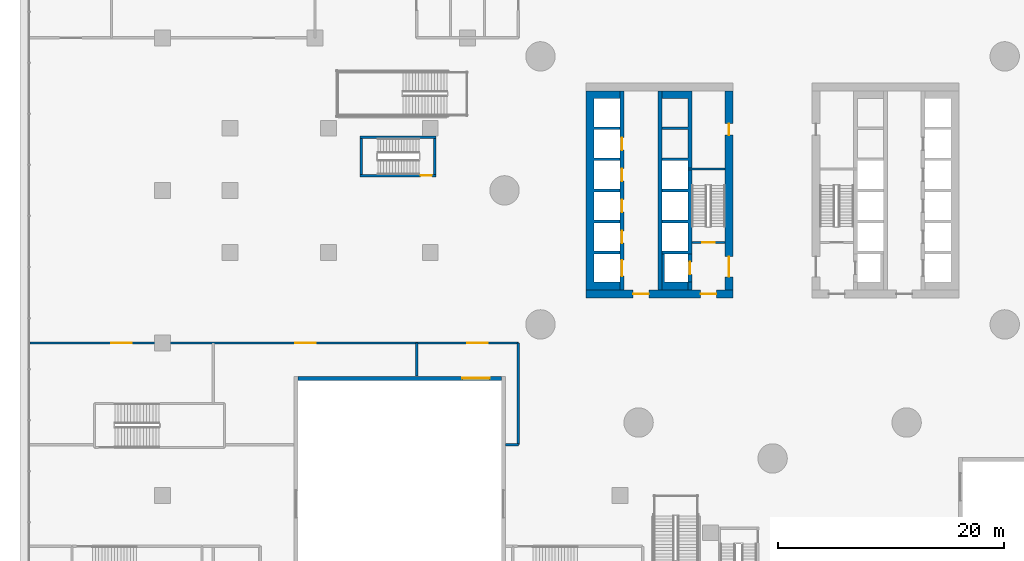
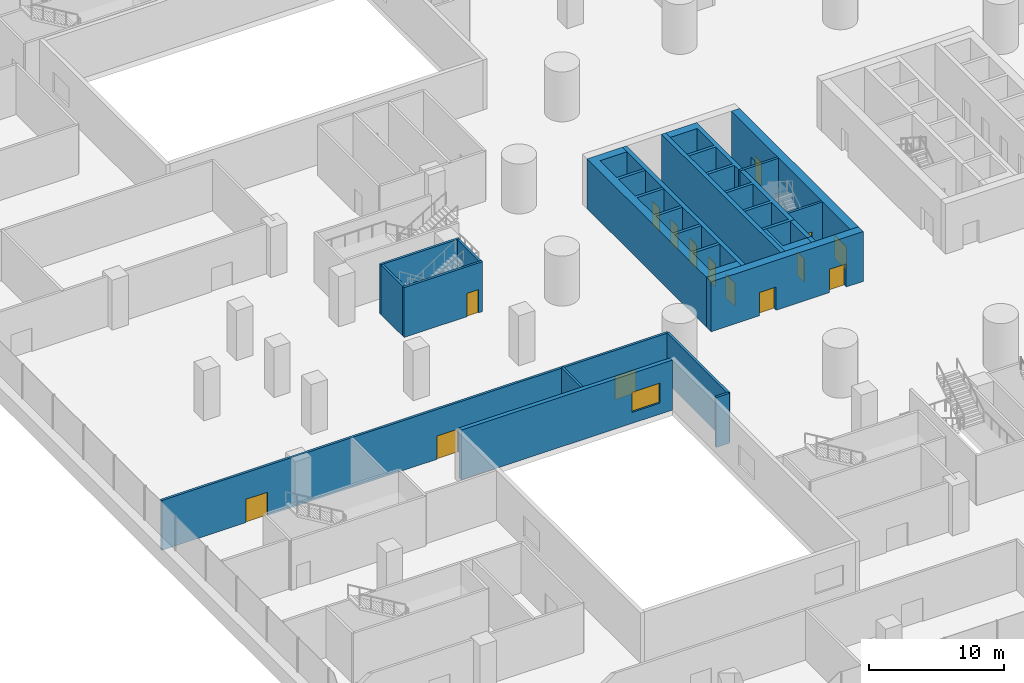
# One storey, part 25 of 44: 20 walls, 15 doors, 1 window, 16 openings.
"""IFC4 building model written with IfcOpenShell, lengths in metres."""

from ifc_helpers import new_model, si_unit, direction, frame, frame_2d, origin, place, context, subcontext, project, spatial, polyline, rectangle, outline, extrude, material, layer, layer_set, type_object, element, fill, save


model = new_model("IFC4")

# Units and contexts
model_context = context("Model", 3, precision=1e-05, world=origin(), true_north=direction((0.0, 1.0)))
body_context = subcontext(model_context, "Body", "Model", "MODEL_VIEW")
ifc_project = project(units=[si_unit("LENGTHUNIT", "METRE"), si_unit("AREAUNIT", "SQUARE_METRE"), si_unit("VOLUMEUNIT", "CUBIC_METRE"), si_unit("PLANEANGLEUNIT", "RADIAN"), si_unit("MASSUNIT", "GRAM", prefix="KILO")], contexts=[model_context])

# Site, building, storey
site_placement = place(None, origin())
site = spatial("IfcSite", under=ifc_project, at=site_placement, CompositionType="ELEMENT")
building_placement = place(site_placement, origin())
building = spatial("IfcBuilding", under=site, at=building_placement, Name="Tamarind Cross Interchange Tower", CompositionType="ELEMENT")
storey_placement = place(building_placement, frame((0.0, 0.0, 15.0)))
storey = spatial("IfcBuildingStorey", under=building, at=storey_placement, Name="L02", CompositionType="ELEMENT", Elevation=15.0)

# Wall, openings, doors
ifc_material_1 = material(Name="Concrete C80", Category="concrete")
ifc_layer_1 = layer(ifc_material_1, 0.699951171875)
ifc_layer_set_1 = layer_set([ifc_layer_1], Name="Concrete C80")
wall_type_1 = type_object("IfcWallType", Name="Core wall 700 mm Concrete C80", PredefinedType="SHEAR", material=ifc_layer_set_1)
wall_1_placement = place(storey_placement, frame((-16.5, -9.14990234375, 0.0), z_axis=(0.0, 0.0, 1.0), x_axis=(1.0, 0.0, 0.0)))
wall_1 = element("IfcWall", 1, at=wall_1_placement, inside=storey, type_object=wall_type_1, Name="Core wall CWL-L02-W-S", PredefinedType="SHEAR", context=body_context, shape_type="SweptSolid", body=[
    extrude(rectangle(XDim=13.0, YDim=0.699951171875, at=frame_2d((6.5, 0.0))), origin(), (0.0, 0.0, 1.0), 4.5),
])
opening_1_placement = place(wall_1_placement, frame((4.14990234375, 0.0, 0.0)))
opening_1 = element("IfcOpeningElement", 2, at=opening_1_placement, cuts=wall_1, Name="Opening DCW1", PredefinedType="OPENING", context=body_context, shape_type="SweptSolid", body=[
    extrude(rectangle(XDim=1.39990234375, YDim=2.10009765625, at=frame_2d((0.699951171875, 1.050048828125))), frame((0.0, 0.35986328125, 0.0), z_axis=(0.0, -1.0, 0.0), x_axis=(1.0, 0.0, 0.0)), (0.0, 0.0, 1.0), 0.719970703125),
])
opening_2_placement = place(wall_1_placement, frame((10.125, 0.0, 0.0)))
opening_2 = element("IfcOpeningElement", 3, at=opening_2_placement, cuts=wall_1, Name="Opening DCWF", PredefinedType="OPENING", context=body_context, shape_type="SweptSolid", body=[
    extrude(rectangle(XDim=1.39990234375, YDim=2.10009765625, at=frame_2d((0.699951171875, 1.050048828125))), frame((0.0, 0.35986328125, 0.0), z_axis=(0.0, -1.0, 0.0), x_axis=(1.0, 0.0, 0.0)), (0.0, 0.0, 1.0), 0.719970703125),
])
ifc_material_2 = material(Name="Steel, fire-resisting", Category="steel")
door_type_1 = type_object("IfcDoorType", Name="Core fire door 1400 x 2100 FD90", OperationType="SINGLE_SWING_LEFT", PredefinedType="DOOR", material=ifc_material_2)
door_1_placement = place(opening_1_placement, origin())
door_1 = element("IfcDoor", 4, at=door_1_placement, inside=storey, type_object=door_type_1, Name="L02 lift lobby door", OperationType="SINGLE_SWING_LEFT", OverallHeight=2.10009765625, OverallWidth=1.39990234375, PredefinedType="DOOR", context=body_context, shape_type="SweptSolid", body=[
    extrude(rectangle(XDim=1.39990234375, YDim=2.10009765625, at=frame_2d((0.699951171875, 1.050048828125))), frame((0.0, 0.02490234375, 0.0), z_axis=(0.0, -1.0, 0.0), x_axis=(1.0, 0.0, 0.0)), (0.0, 0.0, 1.0), 0.050048828125),
])
fill(opening_1, door_1)
door_2_placement = place(opening_2_placement, origin())
door_2 = element("IfcDoor", 5, at=door_2_placement, inside=storey, type_object=door_type_1, Name="L02 firefighting lobby end door", OperationType="SINGLE_SWING_LEFT", OverallHeight=2.10009765625, OverallWidth=1.39990234375, PredefinedType="DOOR", context=body_context, shape_type="SweptSolid", body=[
    extrude(rectangle(XDim=1.39990234375, YDim=2.10009765625, at=frame_2d((0.699951171875, 1.050048828125))), frame((0.0, 0.02490234375, 0.0), z_axis=(0.0, -1.0, 0.0), x_axis=(1.0, 0.0, 0.0)), (0.0, 0.0, 1.0), 0.050048828125),
])
fill(opening_2, door_2)

# Wall
wall_2_placement = place(storey_placement, origin())
element("IfcWall", 6, at=wall_2_placement, inside=storey, type_object=wall_type_1, Name="Core wall CWL-L02-W-A", PredefinedType="SHEAR", context=body_context, shape_type="SweptSolid", body=[
    extrude(outline(polyline([(-13.5, -8.800048828125), (-13.5, -8.125), (-15.800048828125, -8.125), (-15.800048828125, -5.625), (-13.5, -5.625), (-13.5, -5.375), (-15.800048828125, -5.375), (-15.800048828125, -2.875), (-13.5, -2.875), (-13.5, -2.625), (-15.800048828125, -2.625), (-15.800048828125, -0.125), (-13.5, -0.125), (-13.5, 0.125), (-15.800048828125, 0.125), (-15.800048828125, 2.625), (-13.5, 2.625), (-13.5, 2.875), (-15.800048828125, 2.875), (-15.800048828125, 5.375), (-13.5, 5.375), (-13.5, 5.625), (-15.800048828125, 5.625), (-15.800048828125, 8.125), (-13.5, 8.125), (-13.5, 8.800048828125), (-15.800048828125, 8.800048828125), (-16.5, 8.800048828125), (-16.5, -8.800048828125), (-15.800048828125, -8.800048828125), (-13.5, -8.800048828125)])), origin(), (0.0, 0.0, 1.0), 4.5),
])

# Wall, openings, doors
wall_3_placement = place(storey_placement, frame((-3.85009765625, -8.800048828125, 0.0), z_axis=(0.0, 0.0, 1.0), x_axis=(0.0, 1.0, 0.0)))
wall_3 = element("IfcWall", 7, at=wall_3_placement, inside=storey, type_object=wall_type_1, Name="Core wall CWL-L02-W-IN", PredefinedType="SHEAR", context=body_context, shape_type="SweptSolid", body=[
    extrude(rectangle(XDim=17.60009765625, YDim=0.699951171875, at=frame_2d((8.800048828125, 0.0))), origin(), (0.0, 0.0, 1.0), 4.5),
])
opening_3_placement = place(wall_3_placement, frame((1.14990234375, 0.0, 0.0)))
opening_3 = element("IfcOpeningElement", 8, at=opening_3_placement, cuts=wall_3, Name="Opening DCW4", PredefinedType="OPENING", context=body_context, shape_type="SweptSolid", body=[
    extrude(rectangle(XDim=1.800048828125, YDim=2.10009765625, at=frame_2d((0.89990234375, 1.050048828125))), frame((0.0, 0.35986328125, 0.0), z_axis=(0.0, -1.0, 0.0), x_axis=(1.0, 0.0, 0.0)), (0.0, 0.0, 1.0), 0.719970703125),
])
opening_4_placement = place(wall_3_placement, frame((13.699951171875, 0.0, 0.0)))
opening_4 = element("IfcOpeningElement", 9, at=opening_4_placement, cuts=wall_3, Name="Opening DCW5", PredefinedType="OPENING", context=body_context, shape_type="SweptSolid", body=[
    extrude(rectangle(XDim=1.0, YDim=2.10009765625, at=frame_2d((0.5, 1.050048828125))), frame((0.0, 0.35986328125, 0.0), z_axis=(0.0, -1.0, 0.0), x_axis=(1.0, 0.0, 0.0)), (0.0, 0.0, 1.0), 0.719970703125),
])
door_type_2 = type_object("IfcDoorType", Name="Core fire door 1000 x 2100 FD90", OperationType="SINGLE_SWING_LEFT", PredefinedType="DOOR", material=ifc_material_2)
door_3_placement = place(opening_4_placement, origin())
door_3 = element("IfcDoor", 10, at=door_3_placement, inside=storey, type_object=door_type_2, Name="L02 riser room door", OperationType="SINGLE_SWING_LEFT", OverallHeight=2.10009765625, OverallWidth=1.0, PredefinedType="DOOR", context=body_context, shape_type="SweptSolid", body=[
    extrude(rectangle(XDim=1.0, YDim=2.10009765625, at=frame_2d((0.5, 1.050048828125))), frame((0.0, 0.02490234375, 0.0), z_axis=(0.0, -1.0, 0.0), x_axis=(1.0, 0.0, 0.0)), (0.0, 0.0, 1.0), 0.050048828125),
])
fill(opening_4, door_3)
door_type_3 = type_object("IfcDoorType", Name="Core fire door 1800 x 2100 FD90", OperationType="SINGLE_SWING_LEFT", PredefinedType="DOOR", material=ifc_material_2)
door_4_placement = place(opening_3_placement, origin())
door_4 = element("IfcDoor", 11, at=door_4_placement, inside=storey, type_object=door_type_3, Name="L02 firefighting lobby door", OperationType="SINGLE_SWING_LEFT", OverallHeight=2.10009765625, OverallWidth=1.800048828125, PredefinedType="DOOR", context=body_context, shape_type="SweptSolid", body=[
    extrude(rectangle(XDim=1.800048828125, YDim=2.10009765625, at=frame_2d((0.89990234375, 1.050048828125))), frame((0.0, 0.02490234375, 0.0), z_axis=(0.0, -1.0, 0.0), x_axis=(1.0, 0.0, 0.0)), (0.0, 0.0, 1.0), 0.050048828125),
])
fill(opening_3, door_4)

# Walls
ifc_layer_2 = layer(ifc_material_1, 0.199951171875)
ifc_layer_set_2 = layer_set([ifc_layer_2], Name="Concrete C80")
wall_type_2 = type_object("IfcWallType", Name="Core web wall 200 mm Concrete C80", PredefinedType="SHEAR", material=ifc_layer_set_2)
wall_4_placement = place(storey_placement, frame((-7.5, 1.89990234375, 0.0), z_axis=(0.0, 0.0, 1.0), x_axis=(1.0, 0.0, 0.0)))
element("IfcWall", 12, at=wall_4_placement, inside=storey, type_object=wall_type_2, Name="Core wall CWL-L02-W-BD", PredefinedType="SHEAR", context=body_context, shape_type="SweptSolid", body=[
    extrude(rectangle(XDim=3.300048828125, YDim=0.199951171875, at=frame_2d((1.64990234375, 0.0))), origin(), (0.0, 0.0, 1.0), 4.5),
])
ifc_layer_3 = layer(ifc_material_1, 0.35009765625)
ifc_layer_set_3 = layer_set([ifc_layer_3], Name="Concrete C80")
wall_type_3 = type_object("IfcWallType", Name="Core web wall 350 mm Concrete C80", PredefinedType="SHEAR", material=ifc_layer_set_3)
wall_5_placement = place(storey_placement, origin())
element("IfcWall", 13, at=wall_5_placement, inside=storey, type_object=wall_type_3, Name="Core wall CWL-L02-W-BN", PredefinedType="SHEAR", context=body_context, shape_type="SweptSolid", body=[
    extrude(outline(polyline([(-9.800048828125, -5.375), (-9.800048828125, -5.625), (-7.5, -5.625), (-7.14990234375, -5.625), (-7.14990234375, 8.800048828125), (-7.5, 8.800048828125), (-9.800048828125, 8.800048828125), (-9.800048828125, 8.125), (-7.5, 8.125), (-7.5, 5.625), (-9.800048828125, 5.625), (-9.800048828125, 5.375), (-7.5, 5.375), (-7.5, 2.875), (-9.800048828125, 2.875), (-9.800048828125, 2.625), (-7.5, 2.625), (-7.5, 0.125), (-9.800048828125, 0.125), (-9.800048828125, -0.125), (-7.5, -0.125), (-7.5, -2.625), (-9.800048828125, -2.625), (-9.800048828125, -2.875), (-7.5, -2.875), (-7.5, -5.375), (-9.800048828125, -5.375)])), origin(), (0.0, 0.0, 1.0), 4.5),
])
wall_6_placement = place(storey_placement, origin())
element("IfcWall", 14, at=wall_6_placement, inside=storey, type_object=wall_type_3, Name="Core wall CWL-L02-W-BS", PredefinedType="SHEAR", context=body_context, shape_type="SweptSolid", body=[
    extrude(outline(polyline([(-7.5, -8.125), (-9.550048828125, -8.125), (-9.550048828125, -5.625), (-9.800048828125, -5.625), (-9.800048828125, -8.125), (-9.800048828125, -8.800048828125), (-7.5, -8.800048828125), (-7.5, -8.125)])), origin(), (0.0, 0.0, 1.0), 4.5),
])
wall_7_placement = place(storey_placement, frame((-7.324951171875, -8.800048828125, 0.0), z_axis=(0.0, 0.0, 1.0), x_axis=(0.0, 1.0, 0.0)))
element("IfcWall", 15, at=wall_7_placement, inside=storey, type_object=wall_type_3, Name="Core wall CWL-L02-W-BW", PredefinedType="SHEAR", context=body_context, shape_type="SweptSolid", body=[
    extrude(rectangle(XDim=0.675048828125, YDim=0.35009765625, at=frame_2d((0.33740234375, 0.0))), origin(), (0.0, 0.0, 1.0), 4.5),
])

# Wall, openings, doors
wall_8_placement = place(storey_placement, frame((-13.324951171875, -8.800048828125, 0.0), z_axis=(0.0, 0.0, 1.0), x_axis=(0.0, 1.0, 0.0)))
wall_8 = element("IfcWall", 16, at=wall_8_placement, inside=storey, type_object=wall_type_3, Name="Core wall CWL-L02-W-LA", PredefinedType="SHEAR", context=body_context, shape_type="SweptSolid", body=[
    extrude(rectangle(XDim=17.60009765625, YDim=0.35009765625, at=frame_2d((8.800048828125, 0.0))), origin(), (0.0, 0.0, 1.0), 4.5),
])
opening_5_placement = place(wall_8_placement, frame((1.22509765625, 0.0, 0.0)))
opening_5 = element("IfcOpeningElement", 17, at=opening_5_placement, cuts=wall_8, Name="Opening LD1L02", PredefinedType="OPENING", context=body_context, shape_type="SweptSolid", body=[
    extrude(rectangle(XDim=1.39990234375, YDim=2.10009765625, at=frame_2d((0.699951171875, 1.050048828125))), frame((0.0, 0.18505859375, 0.0), z_axis=(0.0, -1.0, 0.0), x_axis=(1.0, 0.0, 0.0)), (0.0, 0.0, 1.0), 0.3701171875),
])
opening_6_placement = place(wall_8_placement, frame((4.125, 0.0, 0.0)))
opening_6 = element("IfcOpeningElement", 18, at=opening_6_placement, cuts=wall_8, Name="Opening LD2L02", PredefinedType="OPENING", context=body_context, shape_type="SweptSolid", body=[
    extrude(rectangle(XDim=1.10009765625, YDim=2.10009765625, at=frame_2d((0.550048828125, 1.050048828125))), frame((0.0, 0.18505859375, 0.0), z_axis=(0.0, -1.0, 0.0), x_axis=(1.0, 0.0, 0.0)), (0.0, 0.0, 1.0), 0.3701171875),
])
opening_7_placement = place(wall_8_placement, frame((6.875, 0.0, 0.0)))
opening_7 = element("IfcOpeningElement", 19, at=opening_7_placement, cuts=wall_8, Name="Opening LD3L02", PredefinedType="OPENING", context=body_context, shape_type="SweptSolid", body=[
    extrude(rectangle(XDim=1.10009765625, YDim=2.10009765625, at=frame_2d((0.550048828125, 1.050048828125))), frame((0.0, 0.18505859375, 0.0), z_axis=(0.0, -1.0, 0.0), x_axis=(1.0, 0.0, 0.0)), (0.0, 0.0, 1.0), 0.3701171875),
])
opening_8_placement = place(wall_8_placement, frame((9.625, 0.0, 0.0)))
opening_8 = element("IfcOpeningElement", 20, at=opening_8_placement, cuts=wall_8, Name="Opening LD4L02", PredefinedType="OPENING", context=body_context, shape_type="SweptSolid", body=[
    extrude(rectangle(XDim=1.10009765625, YDim=2.10009765625, at=frame_2d((0.550048828125, 1.050048828125))), frame((0.0, 0.18505859375, 0.0), z_axis=(0.0, -1.0, 0.0), x_axis=(1.0, 0.0, 0.0)), (0.0, 0.0, 1.0), 0.3701171875),
])
opening_9_placement = place(wall_8_placement, frame((12.375, 0.0, 0.0)))
opening_9 = element("IfcOpeningElement", 21, at=opening_9_placement, cuts=wall_8, Name="Opening LD5L02", PredefinedType="OPENING", context=body_context, shape_type="SweptSolid", body=[
    extrude(rectangle(XDim=1.10009765625, YDim=2.10009765625, at=frame_2d((0.550048828125, 1.050048828125))), frame((0.0, 0.18505859375, 0.0), z_axis=(0.0, -1.0, 0.0), x_axis=(1.0, 0.0, 0.0)), (0.0, 0.0, 1.0), 0.3701171875),
])
ifc_material_3 = material(Name="Stainless steel panel", Category="steel")
door_type_4 = type_object("IfcDoorType", Name="Lift landing door 1100 x 2100 E 120", OperationType="SLIDING_TO_LEFT", PredefinedType="DOOR", material=ifc_material_3)
door_5_placement = place(opening_6_placement, origin())
door_5 = element("IfcDoor", 22, at=door_5_placement, inside=storey, type_object=door_type_4, Name="L02 landing door LF2", OperationType="SLIDING_TO_LEFT", OverallHeight=2.10009765625, OverallWidth=1.10009765625, PredefinedType="DOOR", context=body_context, shape_type="SweptSolid", body=[
    extrude(rectangle(XDim=1.10009765625, YDim=2.10009765625, at=frame_2d((0.550048828125, 1.050048828125))), frame((0.0, 0.02490234375, 0.0), z_axis=(0.0, -1.0, 0.0), x_axis=(1.0, 0.0, 0.0)), (0.0, 0.0, 1.0), 0.050048828125),
])
fill(opening_6, door_5)
door_6_placement = place(opening_7_placement, origin())
door_6 = element("IfcDoor", 23, at=door_6_placement, inside=storey, type_object=door_type_4, Name="L02 landing door LF3", OperationType="SLIDING_TO_LEFT", OverallHeight=2.10009765625, OverallWidth=1.10009765625, PredefinedType="DOOR", context=body_context, shape_type="SweptSolid", body=[
    extrude(rectangle(XDim=1.10009765625, YDim=2.10009765625, at=frame_2d((0.550048828125, 1.050048828125))), frame((0.0, 0.02490234375, 0.0), z_axis=(0.0, -1.0, 0.0), x_axis=(1.0, 0.0, 0.0)), (0.0, 0.0, 1.0), 0.050048828125),
])
fill(opening_7, door_6)
door_7_placement = place(opening_8_placement, origin())
door_7 = element("IfcDoor", 24, at=door_7_placement, inside=storey, type_object=door_type_4, Name="L02 landing door LF4", OperationType="SLIDING_TO_LEFT", OverallHeight=2.10009765625, OverallWidth=1.10009765625, PredefinedType="DOOR", context=body_context, shape_type="SweptSolid", body=[
    extrude(rectangle(XDim=1.10009765625, YDim=2.10009765625, at=frame_2d((0.550048828125, 1.050048828125))), frame((0.0, 0.02490234375, 0.0), z_axis=(0.0, -1.0, 0.0), x_axis=(1.0, 0.0, 0.0)), (0.0, 0.0, 1.0), 0.050048828125),
])
fill(opening_8, door_7)
door_8_placement = place(opening_9_placement, origin())
door_8 = element("IfcDoor", 25, at=door_8_placement, inside=storey, type_object=door_type_4, Name="L02 landing door LF5", OperationType="SLIDING_TO_LEFT", OverallHeight=2.10009765625, OverallWidth=1.10009765625, PredefinedType="DOOR", context=body_context, shape_type="SweptSolid", body=[
    extrude(rectangle(XDim=1.10009765625, YDim=2.10009765625, at=frame_2d((0.550048828125, 1.050048828125))), frame((0.0, 0.02490234375, 0.0), z_axis=(0.0, -1.0, 0.0), x_axis=(1.0, 0.0, 0.0)), (0.0, 0.0, 1.0), 0.050048828125),
])
fill(opening_9, door_8)
door_type_5 = type_object("IfcDoorType", Name="Lift landing door 1400 x 2100 E 120", OperationType="SLIDING_TO_LEFT", PredefinedType="DOOR", material=ifc_material_3)
door_9_placement = place(opening_5_placement, origin())
door_9 = element("IfcDoor", 26, at=door_9_placement, inside=storey, type_object=door_type_5, Name="L02 landing door LF1", OperationType="SLIDING_TO_LEFT", OverallHeight=2.10009765625, OverallWidth=1.39990234375, PredefinedType="DOOR", context=body_context, shape_type="SweptSolid", body=[
    extrude(rectangle(XDim=1.39990234375, YDim=2.10009765625, at=frame_2d((0.699951171875, 1.050048828125))), frame((0.0, 0.02490234375, 0.0), z_axis=(0.0, -1.0, 0.0), x_axis=(1.0, 0.0, 0.0)), (0.0, 0.0, 1.0), 0.050048828125),
])
fill(opening_5, door_9)

# Wall
wall_9_placement = place(storey_placement, frame((-9.97509765625, -8.800048828125, 0.0), z_axis=(0.0, 0.0, 1.0), x_axis=(0.0, 1.0, 0.0)))
element("IfcWall", 27, at=wall_9_placement, inside=storey, type_object=wall_type_3, Name="Core wall CWL-L02-W-LB", PredefinedType="SHEAR", context=body_context, shape_type="SweptSolid", body=[
    extrude(rectangle(XDim=17.60009765625, YDim=0.35009765625, at=frame_2d((8.800048828125, 0.0))), origin(), (0.0, 0.0, 1.0), 4.5),
])

# Wall, opening, door
wall_10_placement = place(storey_placement, frame((-7.324951171875, -8.125, 0.0), z_axis=(0.0, 0.0, 1.0), x_axis=(0.0, 1.0, 0.0)))
wall_10 = element("IfcWall", 28, at=wall_10_placement, inside=storey, type_object=wall_type_3, Name="Core wall CWL-L02-W-FF", PredefinedType="SHEAR", context=body_context, shape_type="SweptSolid", body=[
    extrude(rectangle(XDim=2.5, YDim=0.35009765625, at=frame_2d((1.25, 0.0))), origin(), (0.0, 0.0, 1.0), 4.5),
])
opening_10_placement = place(wall_10_placement, frame((0.699951171875, 0.0, 0.0)))
opening_10 = element("IfcOpeningElement", 29, at=opening_10_placement, cuts=wall_10, Name="Opening LD7L02", PredefinedType="OPENING", context=body_context, shape_type="SweptSolid", body=[
    extrude(rectangle(XDim=1.10009765625, YDim=2.10009765625, at=frame_2d((0.550048828125, 1.050048828125))), frame((0.0, 0.18505859375, 0.0), z_axis=(0.0, -1.0, 0.0), x_axis=(1.0, 0.0, 0.0)), (0.0, 0.0, 1.0), 0.3701171875),
])
door_10_placement = place(opening_10_placement, origin())
door_10 = element("IfcDoor", 30, at=door_10_placement, inside=storey, type_object=door_type_4, Name="L02 landing door LF7", OperationType="SLIDING_TO_LEFT", OverallHeight=2.10009765625, OverallWidth=1.10009765625, PredefinedType="DOOR", context=body_context, shape_type="SweptSolid", body=[
    extrude(rectangle(XDim=1.10009765625, YDim=2.10009765625, at=frame_2d((0.550048828125, 1.050048828125))), frame((0.0, 0.02490234375, 0.0), z_axis=(0.0, -1.0, 0.0), x_axis=(1.0, 0.0, 0.0)), (0.0, 0.0, 1.0), 0.050048828125),
])
fill(opening_10, door_10)

# Wall, openings, doors
ifc_material_4 = material(Name="Masonry partition, fire-rated", Category="masonry")
ifc_layer_4 = layer(ifc_material_4, 0.199951171875)
ifc_layer_set_4 = layer_set([ifc_layer_4], Name="Masonry partition, fire-rated")
wall_type_4 = type_object("IfcWallType", Name="Fire partition 200 EI 120", PredefinedType="PARTITIONING", material=ifc_layer_set_4)
wall_11_placement = place(storey_placement, frame((-65.698974609375, -13.5, 0.0), z_axis=(0.0, 0.0, 1.0), x_axis=(1.0, 0.0, 0.0)))
wall_11 = element("IfcWall", 31, at=wall_11_placement, inside=storey, type_object=wall_type_4, Name="L02 partition 53", PredefinedType="PARTITIONING", context=body_context, shape_type="SweptSolid", body=[
    extrude(rectangle(XDim=43.198974609375, YDim=0.199951171875, at=frame_2d((21.599609375, 0.0))), origin(), (0.0, 0.0, 1.0), 4.5),
])
opening_11_placement = place(wall_11_placement, frame((38.68505859375, 0.0, 0.0)))
opening_11 = element("IfcOpeningElement", 32, at=opening_11_placement, cuts=wall_11, Name="Opening DL02-31", PredefinedType="OPENING", context=body_context, shape_type="SweptSolid", body=[
    extrude(rectangle(XDim=1.800048828125, YDim=2.10009765625, at=frame_2d((0.89990234375, 1.050048828125))), frame((0.0, 0.10986328125, 0.0), z_axis=(0.0, -1.0, 0.0), x_axis=(1.0, 0.0, 0.0)), (0.0, 0.0, 1.0), 0.219970703125),
])
opening_12_placement = place(wall_11_placement, frame((23.47412109375, 0.0, 0.0)))
opening_12 = element("IfcOpeningElement", 33, at=opening_12_placement, cuts=wall_11, Name="Opening DL02-32", PredefinedType="OPENING", context=body_context, shape_type="SweptSolid", body=[
    extrude(rectangle(XDim=1.800048828125, YDim=2.10009765625, at=frame_2d((0.89990234375, 1.050048828125))), frame((0.0, 0.10986328125, 0.0), z_axis=(0.0, -1.0, 0.0), x_axis=(1.0, 0.0, 0.0)), (0.0, 0.0, 1.0), 0.219970703125),
])
opening_13_placement = place(wall_11_placement, frame((7.18896484375, 0.0, 0.0)))
opening_13 = element("IfcOpeningElement", 34, at=opening_13_placement, cuts=wall_11, Name="Opening DL02-33", PredefinedType="OPENING", context=body_context, shape_type="SweptSolid", body=[
    extrude(rectangle(XDim=1.800048828125, YDim=2.10009765625, at=frame_2d((0.89990234375, 1.050048828125))), frame((0.0, 0.10986328125, 0.0), z_axis=(0.0, -1.0, 0.0), x_axis=(1.0, 0.0, 0.0)), (0.0, 0.0, 1.0), 0.219970703125),
])
door_type_6 = type_object("IfcDoorType", Name="Podium door 1800 x 2100 FD60", OperationType="SINGLE_SWING_LEFT", PredefinedType="DOOR", material=ifc_material_2)
door_11_placement = place(opening_11_placement, origin())
door_11 = element("IfcDoor", 35, at=door_11_placement, inside=storey, type_object=door_type_6, Name="L02 door Restaurant 0216", OperationType="SINGLE_SWING_LEFT", OverallHeight=2.10009765625, OverallWidth=1.800048828125, PredefinedType="DOOR", context=body_context, shape_type="SweptSolid", body=[
    extrude(rectangle(XDim=1.800048828125, YDim=2.10009765625, at=frame_2d((0.89990234375, 1.050048828125))), frame((0.0, 0.02490234375, 0.0), z_axis=(0.0, -1.0, 0.0), x_axis=(1.0, 0.0, 0.0)), (0.0, 0.0, 1.0), 0.050048828125),
])
fill(opening_11, door_11)
door_12_placement = place(opening_12_placement, origin())
door_12 = element("IfcDoor", 36, at=door_12_placement, inside=storey, type_object=door_type_6, Name="L02 door Dessert Cafe 0217", OperationType="SINGLE_SWING_RIGHT", OverallHeight=2.10009765625, OverallWidth=1.800048828125, PredefinedType="DOOR", context=body_context, shape_type="SweptSolid", body=[
    extrude(rectangle(XDim=1.800048828125, YDim=2.10009765625, at=frame_2d((0.89990234375, 1.050048828125))), frame((0.0, 0.02490234375, 0.0), z_axis=(0.0, -1.0, 0.0), x_axis=(1.0, 0.0, 0.0)), (0.0, 0.0, 1.0), 0.050048828125),
])
fill(opening_12, door_12)
door_13_placement = place(opening_13_placement, origin())
door_13 = element("IfcDoor", 37, at=door_13_placement, inside=storey, type_object=door_type_6, Name="L02 door Grill Restaurant 0218", OperationType="SINGLE_SWING_LEFT", OverallHeight=2.10009765625, OverallWidth=1.800048828125, PredefinedType="DOOR", context=body_context, shape_type="SweptSolid", body=[
    extrude(rectangle(XDim=1.800048828125, YDim=2.10009765625, at=frame_2d((0.89990234375, 1.050048828125))), frame((0.0, 0.02490234375, 0.0), z_axis=(0.0, -1.0, 0.0), x_axis=(1.0, 0.0, 0.0)), (0.0, 0.0, 1.0), 0.050048828125),
])
fill(opening_13, door_13)

# Walls
wall_12_placement = place(storey_placement, frame((-31.5, -16.419921875, 0.0), z_axis=(0.0, 0.0, 1.0), x_axis=(0.0, 1.0, 0.0)))
element("IfcWall", 38, at=wall_12_placement, inside=storey, type_object=wall_type_4, Name="L02 partition 72", PredefinedType="PARTITIONING", context=body_context, shape_type="SweptSolid", body=[
    extrude(rectangle(XDim=2.919921875, YDim=0.199951171875, at=frame_2d((1.4599609375, 0.0))), origin(), (0.0, 0.0, 1.0), 4.5),
])
wall_13_placement = place(storey_placement, frame((-22.5, -22.5, 0.0), z_axis=(0.0, 0.0, 1.0), x_axis=(0.0, 1.0, 0.0)))
element("IfcWall", 39, at=wall_13_placement, inside=storey, type_object=wall_type_4, Name="L02 partition 73", PredefinedType="PARTITIONING", context=body_context, shape_type="SweptSolid", body=[
    extrude(rectangle(XDim=9.0, YDim=0.199951171875, at=frame_2d((4.5, 0.0))), origin(), (0.0, 0.0, 1.0), 4.5),
])
wall_14_placement = place(storey_placement, frame((-23.6201171875, -22.5, 0.0), z_axis=(0.0, 0.0, 1.0), x_axis=(1.0, 0.0, 0.0)))
element("IfcWall", 40, at=wall_14_placement, inside=storey, type_object=wall_type_4, Name="L02 partition 74", PredefinedType="PARTITIONING", context=body_context, shape_type="SweptSolid", body=[
    extrude(rectangle(XDim=1.1201171875, YDim=0.199951171875, at=frame_2d((0.56005859375, 0.0))), origin(), (0.0, 0.0, 1.0), 4.5),
])

# Wall, opening, window
ifc_material_5 = material(Name="Precast concrete C40", Category="concrete")
ifc_layer_5 = layer(ifc_material_5, 0.35009765625)
ifc_layer_set_5 = layer_set([ifc_layer_5], Name="Precast concrete C40")
wall_type_5 = type_object("IfcWallType", Name="Podium facade wall", PredefinedType="SOLIDWALL", material=ifc_layer_set_5)
wall_15_placement = place(storey_placement, frame((-42.0, -16.625, 0.0), z_axis=(0.0, 0.0, 1.0), x_axis=(1.0, 0.0, 0.0)))
wall_15 = element("IfcWall", 41, at=wall_15_placement, inside=storey, type_object=wall_type_5, Name="CTW-L02-SWN00", PredefinedType="SOLIDWALL", context=body_context, shape_type="SweptSolid", body=[
    extrude(rectangle(XDim=18.0, YDim=0.35009765625, at=frame_2d((9.0, 0.0))), origin(), (0.0, 0.0, 1.0), 4.5),
])
opening_14_placement = place(wall_15_placement, frame((14.550048828125, 0.0, 1.0)))
opening_14 = element("IfcOpeningElement", 42, at=opening_14_placement, cuts=wall_15, Name="Opening W4", PredefinedType="OPENING", context=body_context, shape_type="SweptSolid", body=[
    extrude(rectangle(XDim=2.39990234375, YDim=1.800048828125, at=frame_2d((1.199951171875, 0.89990234375))), frame((0.0, 0.18505859375, 0.0), z_axis=(0.0, -1.0, 0.0), x_axis=(1.0, 0.0, 0.0)), (0.0, 0.0, 1.0), 0.3701171875),
])
ifc_material_6 = material(Name="Aluminium and toughened glass", Category="aluminium")
window_type = type_object("IfcWindowType", Name="Podium daylight window", PartitioningType="SINGLE_PANEL", PredefinedType="WINDOW", material=ifc_material_6)
window_placement = place(opening_14_placement, origin())
window = element("IfcWindow", 43, at=window_placement, inside=storey, type_object=window_type, Name="CTX-L02-SWN-01-00", OverallHeight=1.800048828125, OverallWidth=2.39990234375, PartitioningType="SINGLE_PANEL", PredefinedType="WINDOW", context=body_context, shape_type="SweptSolid", body=[
    extrude(rectangle(XDim=2.39990234375, YDim=1.800048828125, at=frame_2d((1.199951171875, 0.89990234375))), frame((0.0, 0.030029296875, 0.0), z_axis=(0.0, -1.0, 0.0), x_axis=(1.0, 0.0, 0.0)), (0.0, 0.0, 1.0), 0.06005859375),
])
fill(opening_14, window)

# Wall, opening, door
ifc_material_7 = material(Name="Concrete C40", Category="concrete")
ifc_layer_6 = layer(ifc_material_7, 0.199951171875)
ifc_layer_set_6 = layer_set([ifc_layer_6], Name="Concrete C40")
wall_type_6 = type_object("IfcWallType", Name="Stair shaft wall 200 mm Concrete C40", PredefinedType="SHEAR", material=ifc_layer_set_6)
wall_16_placement = place(storey_placement, frame((-7.14990234375, -4.60009765625, 0.0), z_axis=(0.0, 0.0, 1.0), x_axis=(1.0, 0.0, 0.0)))
wall_16 = element("IfcWall", 44, at=wall_16_placement, inside=storey, type_object=wall_type_6, Name="Core wall CWL-L02-W-SD", PredefinedType="SHEAR", context=body_context, shape_type="SweptSolid", body=[
    extrude(rectangle(XDim=2.949951171875, YDim=0.199951171875, at=frame_2d((1.47509765625, 0.0))), origin(), (0.0, 0.0, 1.0), 4.5),
])
opening_15_placement = place(wall_16_placement, frame((0.925048828125, 0.0, 0.0)))
opening_15 = element("IfcOpeningElement", 45, at=opening_15_placement, cuts=wall_16, Name="Opening DCW6", PredefinedType="OPENING", context=body_context, shape_type="SweptSolid", body=[
    extrude(rectangle(XDim=1.10009765625, YDim=2.10009765625, at=frame_2d((0.550048828125, 1.050048828125))), frame((0.0, 0.10986328125, 0.0), z_axis=(0.0, -1.0, 0.0), x_axis=(1.0, 0.0, 0.0)), (0.0, 0.0, 1.0), 0.219970703125),
])
door_type_7 = type_object("IfcDoorType", Name="Core fire door 1100 x 2100 FD90", OperationType="SINGLE_SWING_LEFT", PredefinedType="DOOR", material=ifc_material_2)
door_14_placement = place(opening_15_placement, origin())
door_14 = element("IfcDoor", 46, at=door_14_placement, inside=storey, type_object=door_type_7, Name="L02 stair door", OperationType="SINGLE_SWING_LEFT", OverallHeight=2.10009765625, OverallWidth=1.10009765625, PredefinedType="DOOR", context=body_context, shape_type="SweptSolid", body=[
    extrude(rectangle(XDim=1.10009765625, YDim=2.10009765625, at=frame_2d((0.550048828125, 1.050048828125))), frame((0.0, 0.02490234375, 0.0), z_axis=(0.0, -1.0, 0.0), x_axis=(1.0, 0.0, 0.0)), (0.0, 0.0, 1.0), 0.050048828125),
])
fill(opening_15, door_14)

wall_17_placement = place(storey_placement, frame((-29.800048828125, 1.300048828125, 0.0), z_axis=(0.0, 0.0, 1.0), x_axis=(-1.0, 0.0, 0.0)))
wall_17 = element("IfcWall", 47, at=wall_17_placement, inside=storey, type_object=wall_type_6, Name="Core wall CWL-L02-ST5-H", PredefinedType="SHEAR", context=body_context, shape_type="SweptSolid", body=[
    extrude(rectangle(XDim=6.699951171875, YDim=0.199951171875, at=frame_2d((3.35009765625, 0.0))), origin(), (0.0, 0.0, 1.0), 4.5),
])
opening_16_placement = place(wall_17_placement, frame((0.35009765625, 0.0, 0.0)))
opening_16 = element("IfcOpeningElement", 48, at=opening_16_placement, cuts=wall_17, Name="Opening ST5L02", PredefinedType="OPENING", context=body_context, shape_type="SweptSolid", body=[
    extrude(rectangle(XDim=1.0, YDim=2.10009765625, at=frame_2d((0.5, 1.050048828125))), frame((0.0, 0.10986328125, 0.0), z_axis=(0.0, -1.0, 0.0), x_axis=(1.0, 0.0, 0.0)), (0.0, 0.0, 1.0), 0.219970703125),
])
door_15_placement = place(opening_16_placement, origin())
door_15 = element("IfcDoor", 49, at=door_15_placement, inside=storey, type_object=door_type_2, Name="L02 stair door ST5", OperationType="SINGLE_SWING_LEFT", OverallHeight=2.10009765625, OverallWidth=1.0, PredefinedType="DOOR", context=body_context, shape_type="SweptSolid", body=[
    extrude(rectangle(XDim=1.0, YDim=2.10009765625, at=frame_2d((0.5, 1.050048828125))), frame((0.0, 0.02490234375, 0.0), z_axis=(0.0, -1.0, 0.0), x_axis=(1.0, 0.0, 0.0)), (0.0, 0.0, 1.0), 0.050048828125),
])
fill(opening_16, door_15)

# Walls
wall_18_placement = place(storey_placement, frame((-29.800048828125, 4.699951171875, 0.0), z_axis=(0.0, 0.0, 1.0), x_axis=(-1.0, 0.0, 0.0)))
element("IfcWall", 50, at=wall_18_placement, inside=storey, type_object=wall_type_6, Name="Core wall CWL-L02-ST5-C", PredefinedType="SHEAR", context=body_context, shape_type="SweptSolid", body=[
    extrude(rectangle(XDim=6.699951171875, YDim=0.199951171875, at=frame_2d((3.35009765625, 0.0))), origin(), (0.0, 0.0, 1.0), 4.5),
])
wall_19_placement = place(storey_placement, frame((-29.89990234375, 4.60009765625, 0.0), z_axis=(0.0, 0.0, 1.0), x_axis=(0.0, -1.0, 0.0)))
element("IfcWall", 51, at=wall_19_placement, inside=storey, type_object=wall_type_6, Name="Core wall CWL-L02-ST5-CE", PredefinedType="SHEAR", context=body_context, shape_type="SweptSolid", body=[
    extrude(rectangle(XDim=3.2001953125, YDim=0.199951171875, at=frame_2d((1.60009765625, 0.0))), origin(), (0.0, 0.0, 1.0), 4.5),
])
wall_20_placement = place(storey_placement, origin())
element("IfcWall", 52, at=wall_20_placement, inside=storey, type_object=wall_type_6, Name="Core wall CWL-L02-ST5-CF", PredefinedType="SHEAR", context=body_context, shape_type="SweptSolid", body=[
    extrude(outline(polyline([(-36.300048828125, 4.60009765625), (-36.5, 4.60009765625), (-36.5, 1.39990234375), (-36.300048828125, 1.39990234375), (-36.300048828125, 4.60009765625)])), origin(), (0.0, 0.0, 1.0), 4.5),
])

save(model, "model.ifc")
